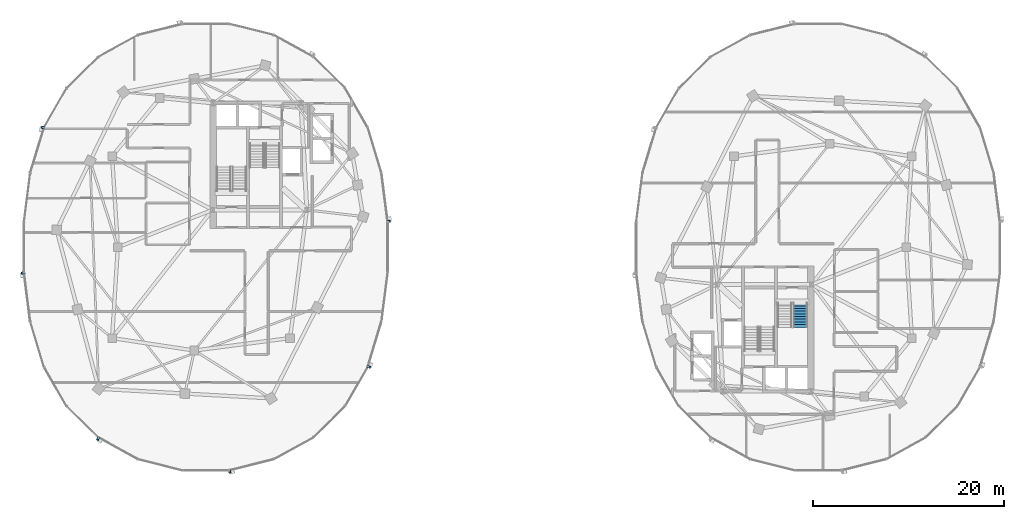
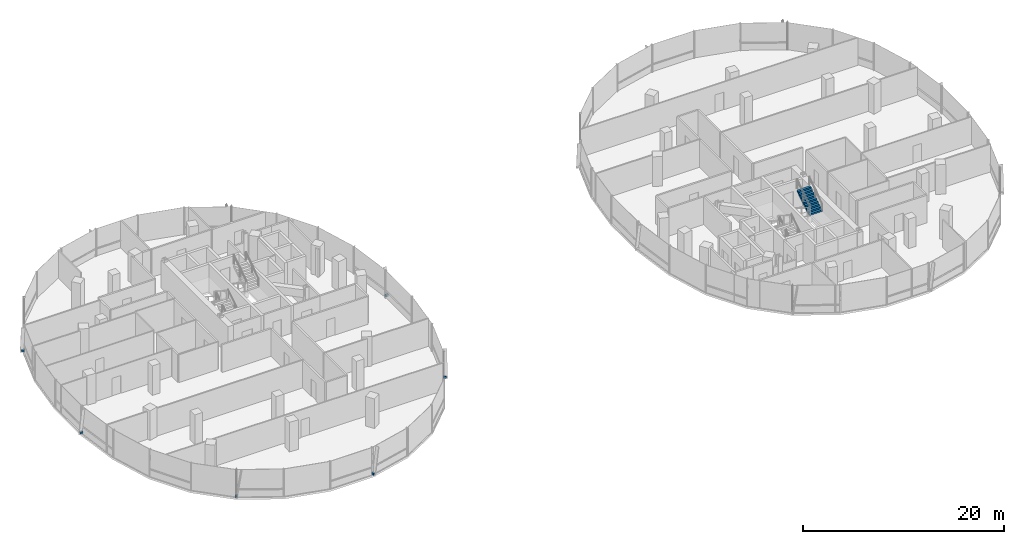
# One storey, part 16 of 23: 6 discrete accessories, 1 stair flight, 1 element without a shape of its own.
"""IFC4 building model written with IfcOpenShell, lengths in metres."""

from ifc_helpers import new_model, si_unit, direction, frame, origin, origin_2d, place, context, subcontext, project, spatial, polyline, rectangle, outline, extrude, material, type_object, element, aggregate, save


model = new_model("IFC4")

# Units and contexts
model_context = context("Model", 3, precision=1e-05, world=origin(), true_north=direction((0.0, 1.0)))
body_context = subcontext(model_context, "Body", "Model", "MODEL_VIEW")
ifc_project = project(units=[si_unit("LENGTHUNIT", "METRE"), si_unit("AREAUNIT", "SQUARE_METRE"), si_unit("VOLUMEUNIT", "CUBIC_METRE"), si_unit("PLANEANGLEUNIT", "RADIAN"), si_unit("MASSUNIT", "GRAM", prefix="KILO"), si_unit("THERMODYNAMICTEMPERATUREUNIT", "KELVIN"), si_unit("POWERUNIT", "WATT")], contexts=[model_context])

# Site, building, storey
site_placement = place(None, origin())
site = spatial("IfcSite", under=ifc_project, at=site_placement, CompositionType="ELEMENT")
building_placement = place(site_placement, origin())
building = spatial("IfcBuilding", under=site, at=building_placement, Name="Cundina Bronze Exchange", CompositionType="ELEMENT")
storey_placement = place(building_placement, frame((0.0, 0.0, 176.39990234375)))
storey = spatial("IfcBuildingStorey", under=building, at=storey_placement, Name="L46", CompositionType="ELEMENT", Elevation=176.39990234375)

# Stair, stair flight
ifc_material_1 = material(Name="Concrete C40/50", Category="concrete")
stair_type = type_object("IfcStairType", Name="STR-OFF-360", PredefinedType="HALF_TURN_STAIR", material=ifc_material_1)
stair_placement = place(storey_placement, origin())
stair = element("IfcStair", 1, at=stair_placement, inside=storey, type_object=stair_type, Name="L46 Smokeproof Exit Stair E1", PredefinedType="HALF_TURN_STAIR")
stair_flight_type = type_object("IfcStairFlightType", Name="FLG-OFF-180", PredefinedType="STRAIGHT", material=ifc_material_1)
stair_flight_placement = place(storey_placement, frame((30.14990234375, -8.3701171875, 1.800048828125), z_axis=(0.0, 0.0, 1.0), x_axis=(0.0, 1.0, 0.0)))
stair_flight = element("IfcStairFlight", 2, at=stair_flight_placement, type_object=stair_flight_type, Name="ST-E1 flight 2", NumberOfRisers=10, NumberOfTreads=9, PredefinedType="STRAIGHT", RiserHeight=0.18, TreadLength=0.28, context=body_context, shape_type="SweptSolid", body=[
    extrude(outline(polyline([(0.0, 0.0), (0.0, 0.179931640625), (0.280029296875, 0.179931640625), (0.280029296875, 0.360107421875), (0.56005859375, 0.360107421875), (0.56005859375, 0.5400390625), (0.840087890625, 0.5400390625), (0.840087890625, 0.719970703125), (1.1201171875, 0.719970703125), (1.1201171875, 0.89990234375), (1.39990234375, 0.89990234375), (1.39990234375, 1.080078125), (1.679931640625, 1.080078125), (1.679931640625, 1.260009765625), (1.9599609375, 1.260009765625), (1.9599609375, 1.43994140625), (2.239990234375, 1.43994140625), (2.239990234375, 1.6201171875), (2.52001953125, 1.6201171875), (2.52001953125, 1.800048828125), (2.52001953125, 1.44189453125), (0.277099609375, 0.0), (0.0, 0.0)])), frame((0.0, 0.75, 0.0), z_axis=(0.0, -1.0, 0.0), x_axis=(1.0, 0.0, 0.0)), (0.0, 0.0, 1.0), 1.5),
])
aggregate(stair, [stair_flight])

# Discrete accessories
ifc_material_2 = material(Name="Anodised Bronze Aluminium 6063-T6", Category="aluminium")
discrete_accessory_type = type_object("IfcDiscreteAccessoryType", Name="ACC-BRK-FIN", PredefinedType="BRACKET", material=ifc_material_2)
for number, where, z_axis, x_axis, name in (
    (3, (-12.874267578125, 2.69189453125, 0.10009765625), (0.0, 0.0, 1.0), (-0.126475984253, 0.9919696696, 0.0), "L46 Fin Support Bracket 1"),
    (4, (-49.0458984375, 12.511962890625, 0.10009765625), (0.0, 0.0, 1.0), (-0.290050843957, -0.957011237092, 0.0), "L46 Fin Support Bracket 5"),
    (5, (-51.125732421875, -2.69189453125, 0.10009765625), (0.0, 0.0, 1.0), (0.126475984253, -0.9919696696, 0.0), "L46 Fin Support Bracket 1"),
    (6, (-43.266845703125, -20.015380859375, 0.10009765625), (0.0, 0.0, 1.0), (0.875869093438, -0.482548786301, 0.0), "L46 Fin Support Bracket 5"),
    (7, (-29.507080078125, -23.44970703125, 0.10009765625), (0.0, 0.0, 1.0), (0.970092713791, 0.242734683656, 0.0), "L46 Fin Support Bracket 1"),
    (8, (-14.9541015625, -12.511962890625, 0.10009765625), (0.0, 0.0, 1.0), (0.290050843957, 0.957011237092, 0.0), "L46 Fin Support Bracket 5"),
):
    element("IfcDiscreteAccessory", number, at=place(storey_placement, frame(where, z_axis=z_axis, x_axis=x_axis)), inside=storey, type_object=discrete_accessory_type, Name=name, PredefinedType="BRACKET", context=body_context, shape_type="SweptSolid", body=[
        extrude(rectangle(XDim=0.219970703125, YDim=0.320068359375, at=origin_2d()), origin(), (0.0, 0.0, 1.0), 0.239990234375),
    ])

save(model, "model.ifc")
